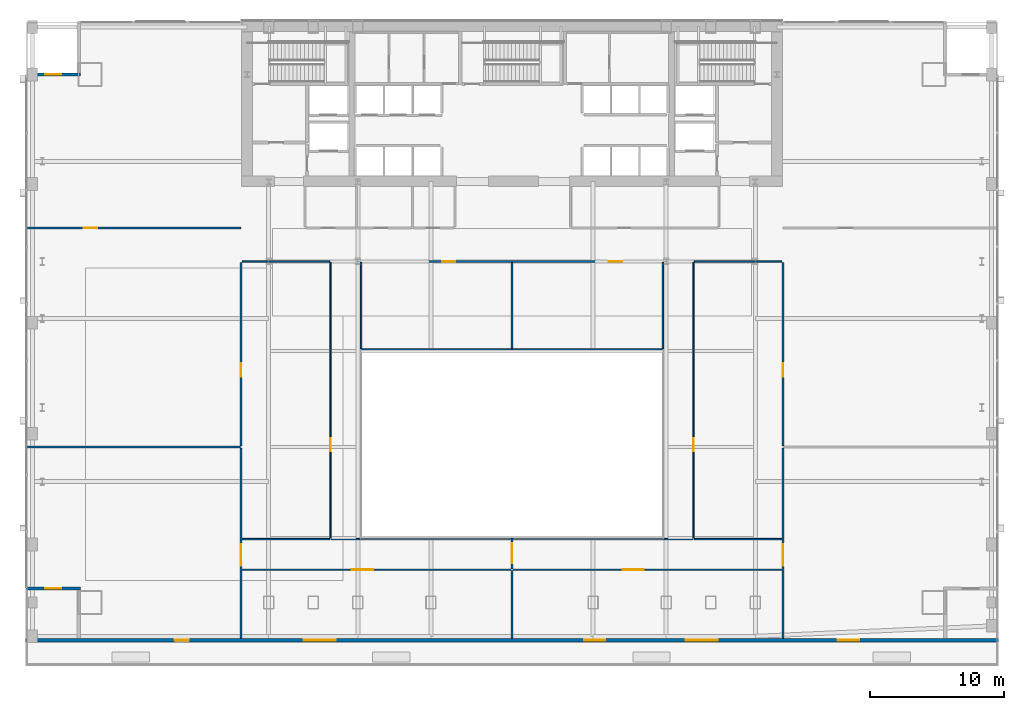
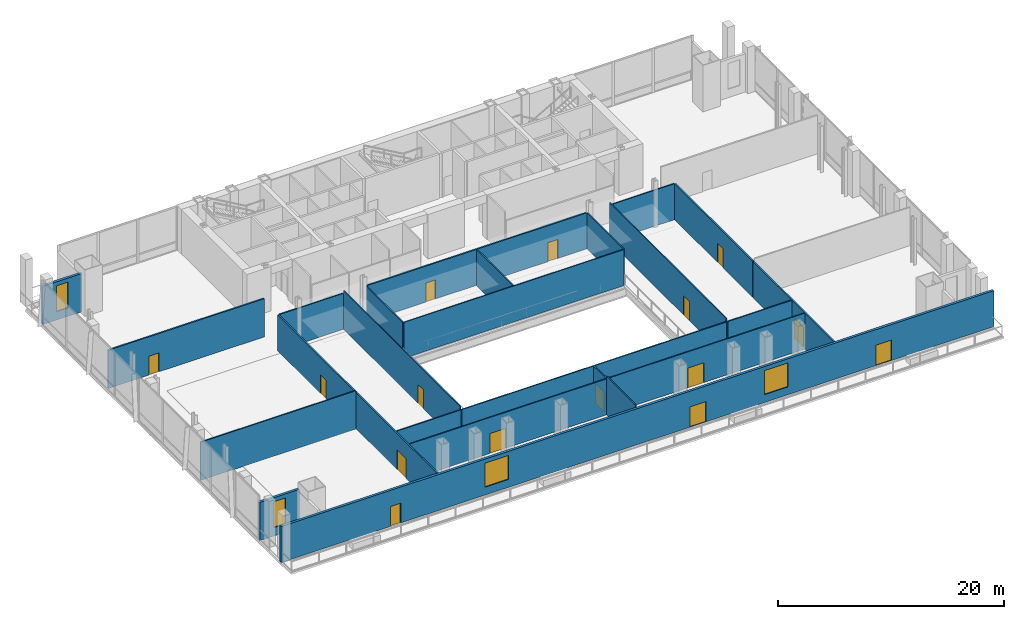
# One storey, part 19 of 25: 25 walls, 15 doors, 4 windows, 19 openings.
"""IFC4 building model written with IfcOpenShell, lengths in metres."""

from ifc_helpers import new_model, si_unit, direction, frame, frame_2d, origin, place, context, subcontext, project, spatial, rectangle, extrude, material, layer, layer_set, type_object, element, fill, save


model = new_model("IFC4")

# Units and contexts
model_context = context("Model", 3, precision=1e-05, world=origin(), true_north=direction((0.0, 1.0)))
body_context = subcontext(model_context, "Body", "Model", "MODEL_VIEW")
ifc_project = project(units=[si_unit("LENGTHUNIT", "METRE"), si_unit("AREAUNIT", "SQUARE_METRE"), si_unit("VOLUMEUNIT", "CUBIC_METRE"), si_unit("PLANEANGLEUNIT", "RADIAN"), si_unit("MASSUNIT", "GRAM", prefix="KILO")], contexts=[model_context])

# Site, building, storey
site_placement = place(None, origin())
site = spatial("IfcSite", under=ifc_project, at=site_placement, CompositionType="ELEMENT")
building_placement = place(site_placement, origin())
building = spatial("IfcBuilding", under=site, at=building_placement, Name="Khoronbel Lancet Exchange", CompositionType="ELEMENT")
storey_placement = place(building_placement, frame((0.0, 0.0, 10.39990234375)))
storey = spatial("IfcBuildingStorey", under=building, at=storey_placement, Name="L02", CompositionType="ELEMENT", Elevation=10.39990234375)

# Wall, openings, doors, windows
ifc_material_1 = material(Name="Precast concrete C40/50", Category="concrete")
ifc_layer_1 = layer(ifc_material_1, 0.25, Name="Precast concrete C40/50")
ifc_layer_set_1 = layer_set([ifc_layer_1], Name="Precast concrete C40/50")
wall_type_1 = type_object("IfcWallType", Name="WL-EXT250", PredefinedType="SOLIDWALL", material=ifc_layer_set_1)
wall_1_placement = place(storey_placement, frame((72.89990234375, 7.324951171875, 0.0), z_axis=(0.0, 0.0, 1.0), x_axis=(-1.0, 0.0, 0.0)))
wall_1 = element("IfcWall", 1, at=wall_1_placement, inside=storey, type_object=wall_type_1, Name="Level L02 cascading south garden terrace wall", PredefinedType="SOLIDWALL", context=body_context, shape_type="SweptSolid", body=[
    extrude(rectangle(XDim=72.89990234375, YDim=0.25, at=frame_2d((36.449951171875, 0.0))), origin(), (0.0, 0.0, 1.0), 3.89013671875),
])
opening_1_placement = place(wall_1_placement, frame((10.449951171875, 0.0, 0.0)))
opening_1 = element("IfcOpeningElement", 2, at=opening_1_placement, cuts=wall_1, Name="Opening TD1", PredefinedType="OPENING", context=body_context, shape_type="SweptSolid", body=[
    extrude(rectangle(XDim=1.60009765625, YDim=2.199951171875, at=frame_2d((0.800048828125, 1.10009765625))), frame((0.0, 0.135009765625, 0.0), z_axis=(0.0, -1.0, 0.0), x_axis=(1.0, 0.0, 0.0)), (0.0, 0.0, 1.0), 0.27001953125),
])
opening_2_placement = place(wall_1_placement, frame((29.449951171875, 0.0, 0.0)))
opening_2 = element("IfcOpeningElement", 3, at=opening_2_placement, cuts=wall_1, Name="Opening TD1", PredefinedType="OPENING", context=body_context, shape_type="SweptSolid", body=[
    extrude(rectangle(XDim=1.60009765625, YDim=2.199951171875, at=frame_2d((0.800048828125, 1.10009765625))), frame((0.0, 0.135009765625, 0.0), z_axis=(0.0, -1.0, 0.0), x_axis=(1.0, 0.0, 0.0)), (0.0, 0.0, 1.0), 0.27001953125),
])
opening_3_placement = place(wall_1_placement, frame((60.64990234375, 0.0, 0.0)))
opening_3 = element("IfcOpeningElement", 4, at=opening_3_placement, cuts=wall_1, Name="Opening TD2", PredefinedType="OPENING", context=body_context, shape_type="SweptSolid", body=[
    extrude(rectangle(XDim=1.050048828125, YDim=2.14990234375, at=frame_2d((0.52490234375, 1.074951171875))), frame((0.0, 0.135009765625, 0.0), z_axis=(0.0, -1.0, 0.0), x_axis=(1.0, 0.0, 0.0)), (0.0, 0.0, 1.0), 0.27001953125),
])
opening_4_placement = place(wall_1_placement, frame((21.050048828125, 0.0, 0.85009765625)))
opening_4 = element("IfcOpeningElement", 5, at=opening_4_placement, cuts=wall_1, Name="Opening W3", PredefinedType="OPENING", context=body_context, shape_type="SweptSolid", body=[
    extrude(rectangle(XDim=2.39990234375, YDim=2.60009765625, at=frame_2d((1.199951171875, 1.300048828125))), frame((0.0, 0.135009765625, 0.0), z_axis=(0.0, -1.0, 0.0), x_axis=(1.0, 0.0, 0.0)), (0.0, 0.0, 1.0), 0.27001953125),
])
opening_5_placement = place(wall_1_placement, frame((49.64990234375, 0.0, 0.85009765625)))
opening_5 = element("IfcOpeningElement", 6, at=opening_5_placement, cuts=wall_1, Name="Opening W3", PredefinedType="OPENING", context=body_context, shape_type="SweptSolid", body=[
    extrude(rectangle(XDim=2.39990234375, YDim=2.60009765625, at=frame_2d((1.199951171875, 1.300048828125))), frame((0.0, 0.135009765625, 0.0), z_axis=(0.0, -1.0, 0.0), x_axis=(1.0, 0.0, 0.0)), (0.0, 0.0, 1.0), 0.27001953125),
])
ifc_material_2 = material(Name="Glazed Bronze-Anodised Aluminium Door Assembly", Category="aluminium")
door_type_1 = type_object("IfcDoorType", Name="DR-TD1", OperationType="NOTDEFINED", PredefinedType="DOOR", material=ifc_material_2)
door_1_placement = place(opening_1_placement, origin())
door_1 = element("IfcDoor", 7, at=door_1_placement, inside=storey, type_object=door_type_1, Name="Level L02 east garden terrace door", OperationType="DOUBLE_DOOR_SINGLE_SWING", OverallHeight=2.199951171875, OverallWidth=1.60009765625, PredefinedType="DOOR", context=body_context, shape_type="SweptSolid", body=[
    extrude(rectangle(XDim=1.60009765625, YDim=2.199951171875, at=frame_2d((0.800048828125, 1.10009765625))), frame((0.0, 0.02490234375, 0.0), z_axis=(0.0, -1.0, 0.0), x_axis=(1.0, 0.0, 0.0)), (0.0, 0.0, 1.0), 0.050048828125),
])
fill(opening_1, door_1)
door_2_placement = place(opening_2_placement, origin())
door_2 = element("IfcDoor", 8, at=door_2_placement, inside=storey, type_object=door_type_1, Name="Level L02 central garden terrace door", OperationType="DOUBLE_DOOR_SINGLE_SWING", OverallHeight=2.199951171875, OverallWidth=1.60009765625, PredefinedType="DOOR", context=body_context, shape_type="SweptSolid", body=[
    extrude(rectangle(XDim=1.60009765625, YDim=2.199951171875, at=frame_2d((0.800048828125, 1.10009765625))), frame((0.0, 0.02490234375, 0.0), z_axis=(0.0, -1.0, 0.0), x_axis=(1.0, 0.0, 0.0)), (0.0, 0.0, 1.0), 0.050048828125),
])
fill(opening_2, door_2)
door_type_2 = type_object("IfcDoorType", Name="DR-TD2", OperationType="NOTDEFINED", PredefinedType="DOOR", material=ifc_material_2)
door_3_placement = place(opening_3_placement, origin())
door_3 = element("IfcDoor", 9, at=door_3_placement, inside=storey, type_object=door_type_2, Name="Level L02 west garden terrace door", OperationType="SINGLE_SWING_LEFT", OverallHeight=2.14990234375, OverallWidth=1.050048828125, PredefinedType="DOOR", context=body_context, shape_type="SweptSolid", body=[
    extrude(rectangle(XDim=1.050048828125, YDim=2.14990234375, at=frame_2d((0.52490234375, 1.074951171875))), frame((0.0, 0.02490234375, 0.0), z_axis=(0.0, -1.0, 0.0), x_axis=(1.0, 0.0, 0.0)), (0.0, 0.0, 1.0), 0.050048828125),
])
fill(opening_3, door_3)
ifc_material_3 = material(Name="Low-E Solar Control Insulating Glass", Category="glass")
window_type_1 = type_object("IfcWindowType", Name="WIN-W3", PartitioningType="SINGLE_PANEL", PredefinedType="WINDOW", material=ifc_material_3)
window_1_placement = place(opening_4_placement, origin())
window_1 = element("IfcWindow", 10, at=window_1_placement, inside=storey, type_object=window_type_1, Name="WIN-L02-TERR-1", OverallHeight=2.60009765625, OverallWidth=2.39990234375, PartitioningType="SINGLE_PANEL", PredefinedType="WINDOW", context=body_context, shape_type="SweptSolid", body=[
    extrude(rectangle(XDim=2.39990234375, YDim=2.60009765625, at=frame_2d((1.199951171875, 1.300048828125))), frame((0.0, 0.030029296875, 0.0), z_axis=(0.0, -1.0, 0.0), x_axis=(1.0, 0.0, 0.0)), (0.0, 0.0, 1.0), 0.06005859375),
])
fill(opening_4, window_1)
window_2_placement = place(opening_5_placement, origin())
window_2 = element("IfcWindow", 11, at=window_2_placement, inside=storey, type_object=window_type_1, Name="WIN-L02-TERR-2", OverallHeight=2.60009765625, OverallWidth=2.39990234375, PartitioningType="SINGLE_PANEL", PredefinedType="WINDOW", context=body_context, shape_type="SweptSolid", body=[
    extrude(rectangle(XDim=2.39990234375, YDim=2.60009765625, at=frame_2d((1.199951171875, 1.300048828125))), frame((0.0, 0.030029296875, 0.0), z_axis=(0.0, -1.0, 0.0), x_axis=(1.0, 0.0, 0.0)), (0.0, 0.0, 1.0), 0.06005859375),
])
fill(opening_5, window_2)

# Wall, opening, window
wall_2_placement = place(storey_placement, frame((0.080078125, 49.699951171875, 0.0), z_axis=(0.0, 0.0, 1.0), x_axis=(1.0, 0.0, 0.0)))
wall_2 = element("IfcWall", 12, at=wall_2_placement, inside=storey, type_object=wall_type_1, Name="Level L02 corner notch exterior wall NWL2", PredefinedType="SOLIDWALL", context=body_context, shape_type="SweptSolid", body=[
    extrude(rectangle(XDim=4.044921875, YDim=0.25, at=frame_2d((2.0224609375, 0.0))), origin(), (0.0, 0.0, 1.0), 4.14013671875),
])
opening_6_placement = place(wall_2_placement, frame((1.422607421875, 0.0, 0.89990234375)))
opening_6 = element("IfcOpeningElement", 13, at=opening_6_placement, cuts=wall_2, Name="Opening W2", PredefinedType="OPENING", context=body_context, shape_type="SweptSolid", body=[
    extrude(rectangle(XDim=1.199951171875, YDim=2.800048828125, at=frame_2d((0.60009765625, 1.39990234375))), frame((0.0, 0.135009765625, 0.0), z_axis=(0.0, -1.0, 0.0), x_axis=(1.0, 0.0, 0.0)), (0.0, 0.0, 1.0), 0.27001953125),
])
window_type_2 = type_object("IfcWindowType", Name="WIN-W2", PartitioningType="SINGLE_PANEL", PredefinedType="WINDOW", material=ifc_material_3)
window_3_placement = place(opening_6_placement, origin())
window_3 = element("IfcWindow", 14, at=window_3_placement, inside=storey, type_object=window_type_2, Name="WIN-L02-NWL2", OverallHeight=2.800048828125, OverallWidth=1.199951171875, PartitioningType="SINGLE_PANEL", PredefinedType="WINDOW", context=body_context, shape_type="SweptSolid", body=[
    extrude(rectangle(XDim=1.199951171875, YDim=2.800048828125, at=frame_2d((0.60009765625, 1.39990234375))), frame((0.0, 0.030029296875, 0.0), z_axis=(0.0, -1.0, 0.0), x_axis=(1.0, 0.0, 0.0)), (0.0, 0.0, 1.0), 0.06005859375),
])
fill(opening_6, window_3)

wall_3_placement = place(storey_placement, frame((4.125, 11.199951171875, 0.0), z_axis=(0.0, 0.0, 1.0), x_axis=(-1.0, 0.0, 0.0)))
wall_3 = element("IfcWall", 15, at=wall_3_placement, inside=storey, type_object=wall_type_1, Name="Level L02 corner notch exterior wall SWL2", PredefinedType="SOLIDWALL", context=body_context, shape_type="SweptSolid", body=[
    extrude(rectangle(XDim=4.044921875, YDim=0.25, at=frame_2d((2.0224609375, 0.0))), origin(), (0.0, 0.0, 1.0), 4.14013671875),
])
opening_7_placement = place(wall_3_placement, frame((1.422607421875, 0.0, 0.89990234375)))
opening_7 = element("IfcOpeningElement", 16, at=opening_7_placement, cuts=wall_3, Name="Opening W2", PredefinedType="OPENING", context=body_context, shape_type="SweptSolid", body=[
    extrude(rectangle(XDim=1.199951171875, YDim=2.800048828125, at=frame_2d((0.60009765625, 1.39990234375))), frame((0.0, 0.135009765625, 0.0), z_axis=(0.0, -1.0, 0.0), x_axis=(1.0, 0.0, 0.0)), (0.0, 0.0, 1.0), 0.27001953125),
])
window_4_placement = place(opening_7_placement, origin())
window_4 = element("IfcWindow", 17, at=window_4_placement, inside=storey, type_object=window_type_2, Name="WIN-L02-SWL2", OverallHeight=2.800048828125, OverallWidth=1.199951171875, PartitioningType="SINGLE_PANEL", PredefinedType="WINDOW", context=body_context, shape_type="SweptSolid", body=[
    extrude(rectangle(XDim=1.199951171875, YDim=2.800048828125, at=frame_2d((0.60009765625, 1.39990234375))), frame((0.0, 0.030029296875, 0.0), z_axis=(0.0, -1.0, 0.0), x_axis=(1.0, 0.0, 0.0)), (0.0, 0.0, 1.0), 0.06005859375),
])
fill(opening_7, window_4)

# Wall, opening, door
ifc_material_4 = material(Name="Demountable Bronze-Framed Acoustic Glass Partition 100 mm", Category="glass")
ifc_layer_2 = layer(ifc_material_4, 0.10009765625, Name="Demountable Bronze-Framed Acoustic Glass Partition 100 mm")
ifc_layer_set_2 = layer_set([ifc_layer_2], Name="Demountable Bronze-Framed Acoustic Glass Partition 100 mm")
wall_type_2 = type_object("IfcWallType", Name="WL-MOV100", PredefinedType="MOVABLE", material=ifc_layer_set_2)
wall_4_placement = place(storey_placement, frame((16.239990234375, 12.60009765625, 0.0), z_axis=(0.0, 0.0, 1.0), x_axis=(1.0, 0.0, 0.0)))
wall_4 = element("IfcWall", 18, at=wall_4_placement, inside=storey, type_object=wall_type_2, Name="Level L02 interior partition PW-PD-SS1", PredefinedType="MOVABLE", context=body_context, shape_type="SweptSolid", body=[
    extrude(rectangle(XDim=20.130126953125, YDim=0.10009765625, at=frame_2d((10.06494140625, 0.0))), origin(), (0.0, 0.0, 1.0), 3.89013671875),
])
opening_8_placement = place(wall_4_placement, frame((8.199951171875, 0.0, 0.0)))
opening_8 = element("IfcOpeningElement", 19, at=opening_8_placement, cuts=wall_4, Name="Opening D9", PredefinedType="OPENING", context=body_context, shape_type="SweptSolid", body=[
    extrude(rectangle(XDim=1.60009765625, YDim=2.14990234375, at=frame_2d((0.800048828125, 1.074951171875))), frame((0.0, 0.06005859375, 0.0), z_axis=(0.0, -1.0, 0.0), x_axis=(1.0, 0.0, 0.0)), (0.0, 0.0, 1.0), 0.1201171875),
])
ifc_material_5 = material(Name="Glazed Bronze-Framed Double Hall Door", Category="aluminium")
door_type_3 = type_object("IfcDoorType", Name="DR-D9", OperationType="NOTDEFINED", PredefinedType="DOOR", material=ifc_material_5)
door_4_placement = place(opening_8_placement, origin())
door_4 = element("IfcDoor", 20, at=door_4_placement, inside=storey, type_object=door_type_3, Name="South terrace operations office door L02-1", OperationType="DOUBLE_DOOR_SINGLE_SWING", OverallHeight=2.14990234375, OverallWidth=1.60009765625, PredefinedType="DOOR", context=body_context, shape_type="SweptSolid", body=[
    extrude(rectangle(XDim=1.60009765625, YDim=2.14990234375, at=frame_2d((0.800048828125, 1.074951171875))), frame((0.0, 0.02490234375, 0.0), z_axis=(0.0, -1.0, 0.0), x_axis=(1.0, 0.0, 0.0)), (0.0, 0.0, 1.0), 0.050048828125),
])
fill(opening_8, door_4)

wall_5_placement = place(storey_placement, frame((36.530029296875, 12.60009765625, 0.0), z_axis=(0.0, 0.0, 1.0), x_axis=(1.0, 0.0, 0.0)))
wall_5 = element("IfcWall", 21, at=wall_5_placement, inside=storey, type_object=wall_type_2, Name="Level L02 interior partition PW-PD-SS2", PredefinedType="MOVABLE", context=body_context, shape_type="SweptSolid", body=[
    extrude(rectangle(XDim=20.1298828125, YDim=0.10009765625, at=frame_2d((10.06494140625, 0.0))), origin(), (0.0, 0.0, 1.0), 3.89013671875),
])
opening_9_placement = place(wall_5_placement, frame((8.199951171875, 0.0, 0.0)))
opening_9 = element("IfcOpeningElement", 22, at=opening_9_placement, cuts=wall_5, Name="Opening D9", PredefinedType="OPENING", context=body_context, shape_type="SweptSolid", body=[
    extrude(rectangle(XDim=1.60009765625, YDim=2.14990234375, at=frame_2d((0.800048828125, 1.074951171875))), frame((0.0, 0.06005859375, 0.0), z_axis=(0.0, -1.0, 0.0), x_axis=(1.0, 0.0, 0.0)), (0.0, 0.0, 1.0), 0.1201171875),
])
door_5_placement = place(opening_9_placement, origin())
door_5 = element("IfcDoor", 23, at=door_5_placement, inside=storey, type_object=door_type_3, Name="South terrace custody office door L02-1", OperationType="DOUBLE_DOOR_SINGLE_SWING", OverallHeight=2.14990234375, OverallWidth=1.60009765625, PredefinedType="DOOR", context=body_context, shape_type="SweptSolid", body=[
    extrude(rectangle(XDim=1.60009765625, YDim=2.14990234375, at=frame_2d((0.800048828125, 1.074951171875))), frame((0.0, 0.02490234375, 0.0), z_axis=(0.0, -1.0, 0.0), x_axis=(1.0, 0.0, 0.0)), (0.0, 0.0, 1.0), 0.050048828125),
])
fill(opening_9, door_5)

# Wall
wall_6_placement = place(storey_placement, frame((25.215087890625, 29.1201171875, 0.0), z_axis=(0.0, 0.0, 1.0), x_axis=(1.0, 0.0, 0.0)))
element("IfcWall", 24, at=wall_6_placement, inside=storey, type_object=wall_type_2, Name="Level L02 interior partition PW-PD-NS1", PredefinedType="MOVABLE", context=body_context, shape_type="SweptSolid", body=[
    extrude(rectangle(XDim=22.469970703125, YDim=0.10009765625, at=frame_2d((11.23486328125, 0.0))), origin(), (0.0, 0.0, 1.0), 3.89013671875),
])

# Wall, opening, door
wall_7_placement = place(storey_placement, frame((22.85009765625, 14.965087890625, 0.0), z_axis=(0.0, 0.0, 1.0), x_axis=(0.0, 1.0, 0.0)))
wall_7 = element("IfcWall", 25, at=wall_7_placement, inside=storey, type_object=wall_type_2, Name="Level L02 interior partition PW-PD-MWE", PredefinedType="MOVABLE", context=body_context, shape_type="SweptSolid", body=[
    extrude(rectangle(XDim=20.669921875, YDim=0.10009765625, at=frame_2d((10.3349609375, 0.0))), origin(), (0.0, 0.0, 1.0), 4.190185546875),
])
opening_10_placement = place(wall_7_placement, frame((6.5, 0.0, 0.0)))
opening_10 = element("IfcOpeningElement", 26, at=opening_10_placement, cuts=wall_7, Name="Opening D8", PredefinedType="OPENING", context=body_context, shape_type="SweptSolid", body=[
    extrude(rectangle(XDim=1.0, YDim=2.050048828125, at=frame_2d((0.5, 1.02490234375))), frame((0.0, 0.06005859375, 0.0), z_axis=(0.0, -1.0, 0.0), x_axis=(1.0, 0.0, 0.0)), (0.0, 0.0, 1.0), 0.1201171875),
])
ifc_material_6 = material(Name="Acoustic Bronze-Framed Glass Suite Door", Category="glass")
door_type_4 = type_object("IfcDoorType", Name="DR-D8", OperationType="NOTDEFINED", PredefinedType="DOOR", material=ifc_material_6)
door_6_placement = place(opening_10_placement, origin())
door_6 = element("IfcDoor", 27, at=door_6_placement, inside=storey, type_object=door_type_4, Name="West mezzanine brokerage office door L02-1", OperationType="SINGLE_SWING_RIGHT", OverallHeight=2.050048828125, OverallWidth=1.0, PredefinedType="DOOR", context=body_context, shape_type="SweptSolid", body=[
    extrude(rectangle(XDim=1.0, YDim=2.050048828125, at=frame_2d((0.5, 1.02490234375))), frame((0.0, 0.02490234375, 0.0), z_axis=(0.0, -1.0, 0.0), x_axis=(1.0, 0.0, 0.0)), (0.0, 0.0, 1.0), 0.050048828125),
])
fill(opening_10, door_6)

wall_8_placement = place(storey_placement, frame((50.050048828125, 14.965087890625, 0.0), z_axis=(0.0, 0.0, 1.0), x_axis=(0.0, 1.0, 0.0)))
wall_8 = element("IfcWall", 28, at=wall_8_placement, inside=storey, type_object=wall_type_2, Name="Level L02 interior partition PW-PD-MEW", PredefinedType="MOVABLE", context=body_context, shape_type="SweptSolid", body=[
    extrude(rectangle(XDim=20.669921875, YDim=0.10009765625, at=frame_2d((10.3349609375, 0.0))), origin(), (0.0, 0.0, 1.0), 4.190185546875),
])
opening_11_placement = place(wall_8_placement, frame((6.5, 0.0, 0.0)))
opening_11 = element("IfcOpeningElement", 29, at=opening_11_placement, cuts=wall_8, Name="Opening D8", PredefinedType="OPENING", context=body_context, shape_type="SweptSolid", body=[
    extrude(rectangle(XDim=1.0, YDim=2.050048828125, at=frame_2d((0.5, 1.02490234375))), frame((0.0, 0.06005859375, 0.0), z_axis=(0.0, -1.0, 0.0), x_axis=(1.0, 0.0, 0.0)), (0.0, 0.0, 1.0), 0.1201171875),
])
door_7_placement = place(opening_11_placement, origin())
door_7 = element("IfcDoor", 30, at=door_7_placement, inside=storey, type_object=door_type_4, Name="East mezzanine research suite door L02-1", OperationType="SINGLE_SWING_LEFT", OverallHeight=2.050048828125, OverallWidth=1.0, PredefinedType="DOOR", context=body_context, shape_type="SweptSolid", body=[
    extrude(rectangle(XDim=1.0, YDim=2.050048828125, at=frame_2d((0.5, 1.02490234375))), frame((0.0, 0.02490234375, 0.0), z_axis=(0.0, -1.0, 0.0), x_axis=(1.0, 0.0, 0.0)), (0.0, 0.0, 1.0), 0.050048828125),
])
fill(opening_11, door_7)

# Walls
ifc_material_7 = material(Name="Acoustic Metal-Stud & Mineral-Wool Gypsum Partition 120 mm", Category="gypsum")
ifc_layer_3 = layer(ifc_material_7, 0.1201171875, Name="Acoustic Metal-Stud & Mineral-Wool Gypsum Partition 120 mm")
ifc_layer_set_3 = layer_set([ifc_layer_3], Name="Acoustic Metal-Stud & Mineral-Wool Gypsum Partition 120 mm")
wall_type_3 = type_object("IfcWallType", Name="WL-PRT120", PredefinedType="PARTITIONING", material=ifc_layer_set_3)
wall_9_placement = place(storey_placement, frame((0.179931640625, 21.800048828125, 0.0), z_axis=(0.0, 0.0, 1.0), x_axis=(1.0, 0.0, 0.0)))
element("IfcWall", 31, at=wall_9_placement, inside=storey, type_object=wall_type_3, Name="Level L02 interior partition PW-PD-WH", PredefinedType="PARTITIONING", context=body_context, shape_type="SweptSolid", body=[
    extrude(rectangle(XDim=15.900146484375, YDim=0.1201171875, at=frame_2d((7.9501953125, 0.0))), origin(), (0.0, 0.0, 1.0), 4.14013671875),
])
wall_10_placement = place(storey_placement, frame((36.449951171875, 7.449951171875, 0.0), z_axis=(0.0, 0.0, 1.0), x_axis=(0.0, 1.0, 0.0)))
element("IfcWall", 32, at=wall_10_placement, inside=storey, type_object=wall_type_3, Name="Level L02 interior partition PW-PD-SSV", PredefinedType="PARTITIONING", context=body_context, shape_type="SweptSolid", body=[
    extrude(rectangle(XDim=5.094970703125, YDim=0.1201171875, at=frame_2d((2.54736328125, 0.0))), origin(), (0.0, 0.0, 1.0), 4.14013671875),
])
for number, where, z_axis, x_axis, name in (
    (33, (36.449951171875, 29.175048828125, 0.0), (0.0, 0.0, 1.0), (0.0, 1.0, 0.0), "Level L02 interior partition PW-PD-NSV"),
    (34, (25.14990234375, 29.175048828125, 0.0), (0.0, 0.0, 1.0), (0.0, 1.0, 0.0), "Level L02 interior partition PW-PD-NSW"),
    (35, (47.75, 29.175048828125, 0.0), (0.0, 0.0, 1.0), (0.0, 1.0, 0.0), "Level L02 interior partition PW-PD-NSE"),
):
    element("IfcWall", number, at=place(storey_placement, frame(where, z_axis=z_axis, x_axis=x_axis)), inside=storey, type_object=wall_type_3, Name=name, PredefinedType="PARTITIONING", context=body_context, shape_type="SweptSolid", body=[
        extrude(rectangle(XDim=6.445068359375, YDim=0.1201171875, at=frame_2d((3.22265625, 0.0))), origin(), (0.0, 0.0, 1.0), 3.89013671875),
    ])
for number, where, z_axis, x_axis, name in (
    (36, (16.239990234375, 14.89990234375, 0.0), (0.0, 0.0, 1.0), (1.0, 0.0, 0.0), "Level L02 interior partition PW-PD-MWN"),
    (37, (16.239990234375, 35.699951171875, 0.0), (0.0, 0.0, 1.0), (1.0, 0.0, 0.0), "Level L02 interior partition PW-PD-MWS"),
    (38, (50.10498046875, 14.89990234375, 0.0), (0.0, 0.0, 1.0), (1.0, 0.0, 0.0), "Level L02 interior partition PW-PD-MEN"),
    (39, (50.10498046875, 35.699951171875, 0.0), (0.0, 0.0, 1.0), (1.0, 0.0, 0.0), "Level L02 interior partition PW-PD-MES"),
):
    element("IfcWall", number, at=place(storey_placement, frame(where, z_axis=z_axis, x_axis=x_axis)), inside=storey, type_object=wall_type_3, Name=name, PredefinedType="PARTITIONING", context=body_context, shape_type="SweptSolid", body=[
        extrude(rectangle(XDim=6.554931640625, YDim=0.1201171875, at=frame_2d((3.27734375, 0.0))), origin(), (0.0, 0.0, 1.0), 3.89013671875),
    ])
wall_11_placement = place(storey_placement, frame((22.905029296875, 14.89990234375, 0.0), z_axis=(0.0, 0.0, 1.0), x_axis=(1.0, 0.0, 0.0)))
element("IfcWall", 40, at=wall_11_placement, inside=storey, type_object=wall_type_3, Name="Level L02 interior partition PW-PD-ATRS", PredefinedType="PARTITIONING", context=body_context, shape_type="SweptSolid", body=[
    extrude(rectangle(XDim=27.090087890625, YDim=0.1201171875, at=frame_2d((13.544921875, 0.0))), origin(), (0.0, 0.0, 1.0), 3.89013671875),
])

# Wall, opening, door
ifc_material_8 = material(Name="Fire-Rated Twin-Stud Acoustic Gypsum Partition 150 mm", Category="gypsum")
ifc_layer_4 = layer(ifc_material_8, 0.14990234375, Name="Fire-Rated Twin-Stud Acoustic Gypsum Partition 150 mm")
ifc_layer_set_4 = layer_set([ifc_layer_4], Name="Fire-Rated Twin-Stud Acoustic Gypsum Partition 150 mm")
wall_type_4 = type_object("IfcWallType", Name="WL-PRT150C", PredefinedType="PARTITIONING", material=ifc_layer_set_4)
wall_12_placement = place(storey_placement, frame((16.159912109375, 7.449951171875, 0.0), z_axis=(0.0, 0.0, 1.0), x_axis=(0.0, 1.0, 0.0)))
wall_12 = element("IfcWall", 41, at=wall_12_placement, inside=storey, type_object=wall_type_4, Name="Level L02 interior partition PW-PD-WE1", PredefinedType="PARTITIONING", context=body_context, shape_type="SweptSolid", body=[
    extrude(rectangle(XDim=14.28515625, YDim=0.14990234375, at=frame_2d((7.142578125, 0.0))), origin(), (0.0, 0.0, 1.0), 3.89013671875),
])
opening_12_placement = place(wall_12_placement, frame((5.449951171875, 0.0, 0.0)))
opening_12 = element("IfcOpeningElement", 42, at=opening_12_placement, cuts=wall_12, Name="Opening D3", PredefinedType="OPENING", context=body_context, shape_type="SweptSolid", body=[
    extrude(rectangle(XDim=1.60009765625, YDim=2.14990234375, at=frame_2d((0.800048828125, 1.074951171875))), frame((0.0, 0.0849609375, 0.0), z_axis=(0.0, -1.0, 0.0), x_axis=(1.0, 0.0, 0.0)), (0.0, 0.0, 1.0), 0.169921875),
])
ifc_material_9 = material(Name="Glazed Bronze-Framed Double Suite Door", Category="aluminium")
door_type_5 = type_object("IfcDoorType", Name="DR-D3", OperationType="NOTDEFINED", PredefinedType="DOOR", material=ifc_material_9)
door_8_placement = place(opening_12_placement, origin())
door_8 = element("IfcDoor", 43, at=door_8_placement, inside=storey, type_object=door_type_5, Name="West podium clearing suite door L02-1", OperationType="DOUBLE_DOOR_SINGLE_SWING", OverallHeight=2.14990234375, OverallWidth=1.60009765625, PredefinedType="DOOR", context=body_context, shape_type="SweptSolid", body=[
    extrude(rectangle(XDim=1.60009765625, YDim=2.14990234375, at=frame_2d((0.800048828125, 1.074951171875))), frame((0.0, 0.02490234375, 0.0), z_axis=(0.0, -1.0, 0.0), x_axis=(1.0, 0.0, 0.0)), (0.0, 0.0, 1.0), 0.050048828125),
])
fill(opening_12, door_8)

wall_13_placement = place(storey_placement, frame((16.159912109375, 21.864990234375, 0.0), z_axis=(0.0, 0.0, 1.0), x_axis=(0.0, 1.0, 0.0)))
wall_13 = element("IfcWall", 44, at=wall_13_placement, inside=storey, type_object=wall_type_4, Name="Level L02 interior partition PW-PD-WE2", PredefinedType="PARTITIONING", context=body_context, shape_type="SweptSolid", body=[
    extrude(rectangle(XDim=13.77001953125, YDim=0.14990234375, at=frame_2d((6.885009765625, 0.0))), origin(), (0.0, 0.0, 1.0), 3.89013671875),
])
opening_13_placement = place(wall_13_placement, frame((5.199951171875, 0.0, 0.0)))
opening_13 = element("IfcOpeningElement", 45, at=opening_13_placement, cuts=wall_13, Name="Opening D2", PredefinedType="OPENING", context=body_context, shape_type="SweptSolid", body=[
    extrude(rectangle(XDim=1.0, YDim=2.050048828125, at=frame_2d((0.5, 1.02490234375))), frame((0.0, 0.0849609375, 0.0), z_axis=(0.0, -1.0, 0.0), x_axis=(1.0, 0.0, 0.0)), (0.0, 0.0, 1.0), 0.169921875),
])
ifc_material_10 = material(Name="Acoustic Veneered Timber & Bronze Frame Door", Category="wood")
door_type_6 = type_object("IfcDoorType", Name="DR-D2", OperationType="NOTDEFINED", PredefinedType="DOOR", material=ifc_material_10)
door_9_placement = place(opening_13_placement, origin())
door_9 = element("IfcDoor", 46, at=door_9_placement, inside=storey, type_object=door_type_6, Name="West podium valuation office door L02-1", OperationType="SINGLE_SWING_RIGHT", OverallHeight=2.050048828125, OverallWidth=1.0, PredefinedType="DOOR", context=body_context, shape_type="SweptSolid", body=[
    extrude(rectangle(XDim=1.0, YDim=2.050048828125, at=frame_2d((0.5, 1.02490234375))), frame((0.0, 0.02490234375, 0.0), z_axis=(0.0, -1.0, 0.0), x_axis=(1.0, 0.0, 0.0)), (0.0, 0.0, 1.0), 0.050048828125),
])
fill(opening_13, door_9)

wall_14_placement = place(storey_placement, frame((56.739990234375, 7.449951171875, 0.0), z_axis=(0.0, 0.0, 1.0), x_axis=(0.0, 1.0, 0.0)))
wall_14 = element("IfcWall", 47, at=wall_14_placement, inside=storey, type_object=wall_type_4, Name="Level L02 interior partition PW-PD-EW1", PredefinedType="PARTITIONING", context=body_context, shape_type="SweptSolid", body=[
    extrude(rectangle(XDim=14.28515625, YDim=0.14990234375, at=frame_2d((7.142578125, 0.0))), origin(), (0.0, 0.0, 1.0), 3.89013671875),
])
opening_14_placement = place(wall_14_placement, frame((5.449951171875, 0.0, 0.0)))
opening_14 = element("IfcOpeningElement", 48, at=opening_14_placement, cuts=wall_14, Name="Opening D3", PredefinedType="OPENING", context=body_context, shape_type="SweptSolid", body=[
    extrude(rectangle(XDim=1.60009765625, YDim=2.14990234375, at=frame_2d((0.800048828125, 1.074951171875))), frame((0.0, 0.0849609375, 0.0), z_axis=(0.0, -1.0, 0.0), x_axis=(1.0, 0.0, 0.0)), (0.0, 0.0, 1.0), 0.169921875),
])
door_10_placement = place(opening_14_placement, origin())
door_10 = element("IfcDoor", 49, at=door_10_placement, inside=storey, type_object=door_type_5, Name="East podium clearing office door L02-1", OperationType="DOUBLE_DOOR_SINGLE_SWING", OverallHeight=2.14990234375, OverallWidth=1.60009765625, PredefinedType="DOOR", context=body_context, shape_type="SweptSolid", body=[
    extrude(rectangle(XDim=1.60009765625, YDim=2.14990234375, at=frame_2d((0.800048828125, 1.074951171875))), frame((0.0, 0.02490234375, 0.0), z_axis=(0.0, -1.0, 0.0), x_axis=(1.0, 0.0, 0.0)), (0.0, 0.0, 1.0), 0.050048828125),
])
fill(opening_14, door_10)

wall_15_placement = place(storey_placement, frame((56.739990234375, 21.864990234375, 0.0), z_axis=(0.0, 0.0, 1.0), x_axis=(0.0, 1.0, 0.0)))
wall_15 = element("IfcWall", 50, at=wall_15_placement, inside=storey, type_object=wall_type_4, Name="Level L02 interior partition PW-PD-EW2", PredefinedType="PARTITIONING", context=body_context, shape_type="SweptSolid", body=[
    extrude(rectangle(XDim=13.77001953125, YDim=0.14990234375, at=frame_2d((6.885009765625, 0.0))), origin(), (0.0, 0.0, 1.0), 3.89013671875),
])
opening_15_placement = place(wall_15_placement, frame((5.199951171875, 0.0, 0.0)))
opening_15 = element("IfcOpeningElement", 51, at=opening_15_placement, cuts=wall_15, Name="Opening D2", PredefinedType="OPENING", context=body_context, shape_type="SweptSolid", body=[
    extrude(rectangle(XDim=1.0, YDim=2.050048828125, at=frame_2d((0.5, 1.02490234375))), frame((0.0, 0.0849609375, 0.0), z_axis=(0.0, -1.0, 0.0), x_axis=(1.0, 0.0, 0.0)), (0.0, 0.0, 1.0), 0.169921875),
])
door_11_placement = place(opening_15_placement, origin())
door_11 = element("IfcDoor", 52, at=door_11_placement, inside=storey, type_object=door_type_6, Name="East podium regulatory suite door L02-1", OperationType="SINGLE_SWING_LEFT", OverallHeight=2.050048828125, OverallWidth=1.0, PredefinedType="DOOR", context=body_context, shape_type="SweptSolid", body=[
    extrude(rectangle(XDim=1.0, YDim=2.050048828125, at=frame_2d((0.5, 1.02490234375))), frame((0.0, 0.02490234375, 0.0), z_axis=(0.0, -1.0, 0.0), x_axis=(1.0, 0.0, 0.0)), (0.0, 0.0, 1.0), 0.050048828125),
])
fill(opening_15, door_11)

# Wall, openings, doors
wall_16_placement = place(storey_placement, frame((25.215087890625, 35.699951171875, 0.0), z_axis=(0.0, 0.0, 1.0), x_axis=(1.0, 0.0, 0.0)))
wall_16 = element("IfcWall", 53, at=wall_16_placement, inside=storey, type_object=wall_type_4, Name="Level L02 interior partition PW-PD-NSN", PredefinedType="PARTITIONING", context=body_context, shape_type="SweptSolid", body=[
    extrude(rectangle(XDim=22.469970703125, YDim=0.14990234375, at=frame_2d((11.23486328125, 0.0))), origin(), (0.0, 0.0, 1.0), 3.89013671875),
])
opening_16_placement = place(wall_16_placement, frame((6.0, 0.0, 0.0)))
opening_16 = element("IfcOpeningElement", 54, at=opening_16_placement, cuts=wall_16, Name="Opening D2", PredefinedType="OPENING", context=body_context, shape_type="SweptSolid", body=[
    extrude(rectangle(XDim=1.0, YDim=2.050048828125, at=frame_2d((0.5, 1.02490234375))), frame((0.0, 0.0849609375, 0.0), z_axis=(0.0, -1.0, 0.0), x_axis=(1.0, 0.0, 0.0)), (0.0, 0.0, 1.0), 0.169921875),
])
opening_17_placement = place(wall_16_placement, frame((18.5, 0.0, 0.0)))
opening_17 = element("IfcOpeningElement", 55, at=opening_17_placement, cuts=wall_16, Name="Opening D2", PredefinedType="OPENING", context=body_context, shape_type="SweptSolid", body=[
    extrude(rectangle(XDim=1.0, YDim=2.050048828125, at=frame_2d((0.5, 1.02490234375))), frame((0.0, 0.0849609375, 0.0), z_axis=(0.0, -1.0, 0.0), x_axis=(1.0, 0.0, 0.0)), (0.0, 0.0, 1.0), 0.169921875),
])
door_12_placement = place(opening_16_placement, origin())
door_12 = element("IfcDoor", 56, at=door_12_placement, inside=storey, type_object=door_type_6, Name="North mezzanine conference room door L02-1", OperationType="SINGLE_SWING_RIGHT", OverallHeight=2.050048828125, OverallWidth=1.0, PredefinedType="DOOR", context=body_context, shape_type="SweptSolid", body=[
    extrude(rectangle(XDim=1.0, YDim=2.050048828125, at=frame_2d((0.5, 1.02490234375))), frame((0.0, 0.02490234375, 0.0), z_axis=(0.0, -1.0, 0.0), x_axis=(1.0, 0.0, 0.0)), (0.0, 0.0, 1.0), 0.050048828125),
])
fill(opening_16, door_12)
door_13_placement = place(opening_17_placement, origin())
door_13 = element("IfcDoor", 57, at=door_13_placement, inside=storey, type_object=door_type_6, Name="North mezzanine espresso lounge door L02-2", OperationType="SINGLE_SWING_LEFT", OverallHeight=2.050048828125, OverallWidth=1.0, PredefinedType="DOOR", context=body_context, shape_type="SweptSolid", body=[
    extrude(rectangle(XDim=1.0, YDim=2.050048828125, at=frame_2d((0.5, 1.02490234375))), frame((0.0, 0.02490234375, 0.0), z_axis=(0.0, -1.0, 0.0), x_axis=(1.0, 0.0, 0.0)), (0.0, 0.0, 1.0), 0.050048828125),
])
fill(opening_17, door_13)

# Wall, opening, door
wall_17_placement = place(storey_placement, frame((0.179931640625, 38.199951171875, 0.0), z_axis=(0.0, 0.0, 1.0), x_axis=(1.0, 0.0, 0.0)))
wall_17 = element("IfcWall", 58, at=wall_17_placement, inside=storey, type_object=wall_type_4, Name="Level L02 interior partition PW-PD-NW", PredefinedType="PARTITIONING", context=body_context, shape_type="SweptSolid", body=[
    extrude(rectangle(XDim=15.97998046875, YDim=0.14990234375, at=frame_2d((7.989990234375, 0.0))), origin(), (0.0, 0.0, 1.0), 4.14013671875),
])
opening_18_placement = place(wall_17_placement, frame((4.199951171875, 0.0, 0.0)))
opening_18 = element("IfcOpeningElement", 59, at=opening_18_placement, cuts=wall_17, Name="Opening D2", PredefinedType="OPENING", context=body_context, shape_type="SweptSolid", body=[
    extrude(rectangle(XDim=1.0, YDim=2.050048828125, at=frame_2d((0.5, 1.02490234375))), frame((0.0, 0.0849609375, 0.0), z_axis=(0.0, -1.0, 0.0), x_axis=(1.0, 0.0, 0.0)), (0.0, 0.0, 1.0), 0.169921875),
])
door_14_placement = place(opening_18_placement, origin())
door_14 = element("IfcDoor", 60, at=door_14_placement, inside=storey, type_object=door_type_6, Name="NW podium archive room door L02-1", OperationType="SINGLE_SWING_LEFT", OverallHeight=2.050048828125, OverallWidth=1.0, PredefinedType="DOOR", context=body_context, shape_type="SweptSolid", body=[
    extrude(rectangle(XDim=1.0, YDim=2.050048828125, at=frame_2d((0.5, 1.02490234375))), frame((0.0, 0.02490234375, 0.0), z_axis=(0.0, -1.0, 0.0), x_axis=(1.0, 0.0, 0.0)), (0.0, 0.0, 1.0), 0.050048828125),
])
fill(opening_18, door_14)

wall_18_placement = place(storey_placement, frame((36.449951171875, 12.655029296875, 0.0), z_axis=(0.0, 0.0, 1.0), x_axis=(0.0, 1.0, 0.0)))
wall_18 = element("IfcWall", 61, at=wall_18_placement, inside=storey, type_object=wall_type_4, Name="Level L02 interior partition PW-PD-SMK", PredefinedType="PARTITIONING", context=body_context, shape_type="SweptSolid", body=[
    extrude(rectangle(XDim=2.280029296875, YDim=0.14990234375, at=frame_2d((1.14013671875, 0.0))), origin(), (0.0, 0.0, 1.0), 3.89013671875),
])
opening_19_placement = place(wall_18_placement, frame((0.419921875, 0.0, 0.0)))
opening_19 = element("IfcOpeningElement", 62, at=opening_19_placement, cuts=wall_18, Name="Opening FD2", PredefinedType="OPENING", context=body_context, shape_type="SweptSolid", body=[
    extrude(rectangle(XDim=1.5, YDim=2.14990234375, at=frame_2d((0.75, 1.074951171875))), frame((0.0, 0.0849609375, 0.0), z_axis=(0.0, -1.0, 0.0), x_axis=(1.0, 0.0, 0.0)), (0.0, 0.0, 1.0), 0.169921875),
])
ifc_material_11 = material(Name="Fire-Rated Painted Steel Door Assembly", Category="steel")
door_type_7 = type_object("IfcDoorType", Name="DR-FD2", OperationType="NOTDEFINED", PredefinedType="DOOR", material=ifc_material_11)
door_15_placement = place(opening_19_placement, origin())
door_15 = element("IfcDoor", 63, at=door_15_placement, inside=storey, type_object=door_type_7, Name="South gallery smoke-control double door L02-1", OperationType="DOUBLE_DOOR_SINGLE_SWING", OverallHeight=2.14990234375, OverallWidth=1.5, PredefinedType="DOOR", context=body_context, shape_type="SweptSolid", body=[
    extrude(rectangle(XDim=1.5, YDim=2.14990234375, at=frame_2d((0.75, 1.074951171875))), frame((0.0, 0.02490234375, 0.0), z_axis=(0.0, -1.0, 0.0), x_axis=(1.0, 0.0, 0.0)), (0.0, 0.0, 1.0), 0.050048828125),
])
fill(opening_19, door_15)

save(model, "model.ifc")
